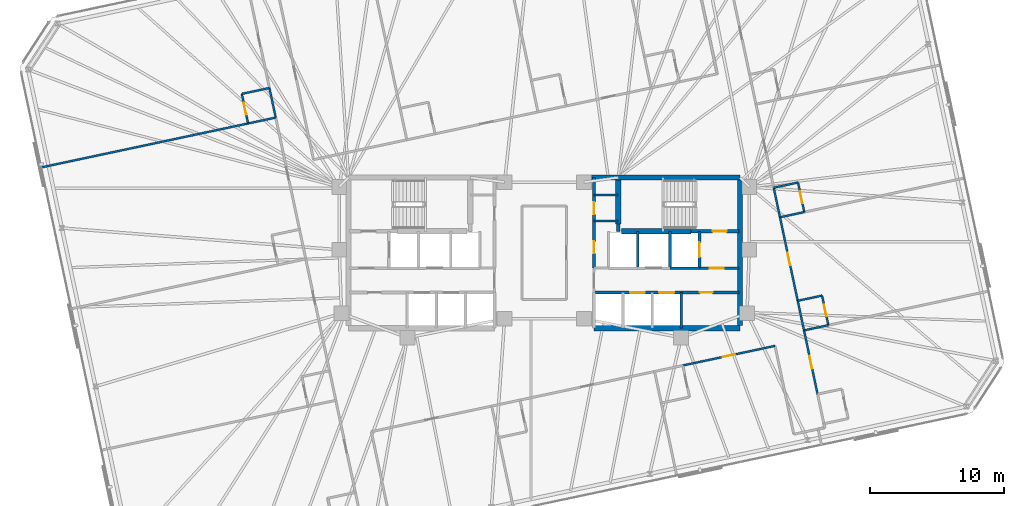
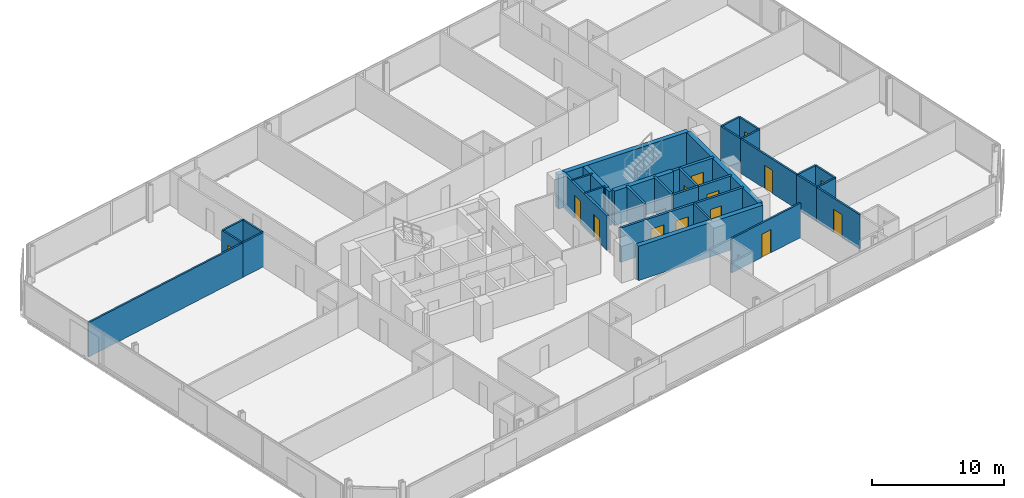
# One storey, part 16 of 19: 33 walls, 14 doors, 14 openings.
"""IFC4 building model written with IfcOpenShell, lengths in metres."""

from ifc_helpers import new_model, si_unit, direction, frame, frame_2d, origin, place, context, subcontext, project, spatial, rectangle, extrude, material, layer, layer_set, type_object, element, fill, save


model = new_model("IFC4")

# Units and contexts
model_context = context("Model", 3, precision=1e-05, world=origin(), true_north=direction((0.0, 1.0)))
body_context = subcontext(model_context, "Body", "Model", "MODEL_VIEW")
ifc_project = project(units=[si_unit("LENGTHUNIT", "METRE"), si_unit("AREAUNIT", "SQUARE_METRE"), si_unit("VOLUMEUNIT", "CUBIC_METRE"), si_unit("PLANEANGLEUNIT", "RADIAN"), si_unit("MASSUNIT", "GRAM", prefix="KILO")], contexts=[model_context])

# Site, building, storey
site_placement = place(None, origin())
site = spatial("IfcSite", under=ifc_project, at=site_placement, CompositionType="ELEMENT")
building_placement = place(site_placement, origin())
building = spatial("IfcBuilding", under=site, at=building_placement, Name="Menara Jurai Vektor", CompositionType="ELEMENT")
storey_placement = place(building_placement, frame((0.0, 0.0, 154.800048828125)))
storey = spatial("IfcBuildingStorey", under=building, at=storey_placement, Name="L39", CompositionType="ELEMENT", Elevation=154.800048828125)

# Wall, opening, door
ifc_material_1 = material(Name="Concrete C40/50", Category="concrete")
ifc_layer_1 = layer(ifc_material_1, 0.25)
ifc_layer_set_1 = layer_set([ifc_layer_1], Name="Concrete C40/50")
wall_type_1 = type_object("IfcWallType", Name="INT-WALL-CORE-250", PredefinedType="STANDARD", material=ifc_layer_set_1)
wall_1_placement = place(storey_placement, frame((10.89990234375, 1.60009765625, 0.0), z_axis=(0.0, 0.0, 1.0), x_axis=(1.0, 0.0, 0.0)))
wall_1 = element("IfcWall", 1, at=wall_1_placement, inside=storey, type_object=wall_type_1, Name="Interior Wall IW-250 L39", PredefinedType="STANDARD", context=body_context, shape_type="SweptSolid", body=[
    extrude(rectangle(XDim=3.60009765625, YDim=0.25, at=frame_2d((1.800048828125, 0.0))), origin(), (0.0, 0.0, 1.0), 3.175048828125),
])
opening_1_placement = place(wall_1_placement, frame((1.6201171875, 0.0, 0.0)))
opening_1 = element("IfcOpeningElement", 2, at=opening_1_placement, cuts=wall_1, Name="Opening D-L39-ST2", PredefinedType="OPENING", context=body_context, shape_type="SweptSolid", body=[
    extrude(rectangle(XDim=1.050048828125, YDim=2.14990234375, at=frame_2d((0.52490234375, 1.074951171875))), frame((0.0, 0.135009765625, 0.0), z_axis=(0.0, -1.0, 0.0), x_axis=(1.0, 0.0, 0.0)), (0.0, 0.0, 1.0), 0.27001953125),
])
ifc_material_2 = material(Name="Fire-Rated Steel Door", Category="steel")
door_type_1 = type_object("IfcDoorType", Name="DR-STAIR-1050", OperationType="NOTDEFINED", PredefinedType="DOOR", material=ifc_material_2)
door_1_placement = place(opening_1_placement, origin())
door_1 = element("IfcDoor", 3, at=door_1_placement, inside=storey, type_object=door_type_1, Name="Exit Stair ST2 Door L39", OperationType="SINGLE_SWING_LEFT", OverallHeight=2.14990234375, OverallWidth=1.050048828125, PredefinedType="DOOR", context=body_context, shape_type="SweptSolid", body=[
    extrude(rectangle(XDim=1.050048828125, YDim=2.14990234375, at=frame_2d((0.52490234375, 1.074951171875))), frame((0.0, 0.02490234375, 0.0), z_axis=(0.0, -1.0, 0.0), x_axis=(1.0, 0.0, 0.0)), (0.0, 0.0, 1.0), 0.050048828125),
])
fill(opening_1, door_1)

# Wall
wall_2_placement = place(storey_placement, frame((5.5, 1.60009765625, 0.0), z_axis=(0.0, 0.0, 1.0), x_axis=(0.0, 1.0, 0.0)))
element("IfcWall", 4, at=wall_2_placement, inside=storey, type_object=wall_type_1, Name="Interior Wall IW-250 L39", PredefinedType="STANDARD", context=body_context, shape_type="SweptSolid", body=[
    extrude(rectangle(XDim=0.5498046875, YDim=0.25, at=frame_2d((0.27490234375, 0.0))), origin(), (0.0, 0.0, 1.0), 3.175048828125),
])

# Wall, opening, door
wall_3_placement = place(storey_placement, frame((11.550048828125, -1.14990234375, 0.0), z_axis=(0.0, 0.0, 1.0), x_axis=(0.0, 1.0, 0.0)))
wall_3 = element("IfcWall", 5, at=wall_3_placement, inside=storey, type_object=wall_type_1, Name="Interior Wall IW-250 L39", PredefinedType="STANDARD", context=body_context, shape_type="SweptSolid", body=[
    extrude(rectangle(XDim=2.75, YDim=0.199951171875, at=frame_2d((1.375, 0.0))), origin(), (0.0, 0.0, 1.0), 3.175048828125),
])
opening_2_placement = place(wall_3_placement, frame((0.824951171875, 0.0, 0.0)))
opening_2 = element("IfcOpeningElement", 6, at=opening_2_placement, cuts=wall_3, Name="Opening LD-L39-FL2", PredefinedType="OPENING", context=body_context, shape_type="SweptSolid", body=[
    extrude(rectangle(XDim=1.10009765625, YDim=2.14990234375, at=frame_2d((0.550048828125, 1.074951171875))), frame((0.0, 0.10986328125, 0.0), z_axis=(0.0, -1.0, 0.0), x_axis=(1.0, 0.0, 0.0)), (0.0, 0.0, 1.0), 0.219970703125),
])
ifc_material_3 = material(Name="Stainless Steel Sliding Lift Landing Door", Category="steel")
door_type_2 = type_object("IfcDoorType", Name="DR-LIFT-FIRE-1100", OperationType="NOTDEFINED", PredefinedType="DOOR", material=ifc_material_3)
door_2_placement = place(opening_2_placement, origin())
door_2 = element("IfcDoor", 7, at=door_2_placement, inside=storey, type_object=door_type_2, Name="Lift Landing Door FL2 L39", OperationType="SLIDING_TO_RIGHT", OverallHeight=2.14990234375, OverallWidth=1.10009765625, PredefinedType="DOOR", context=body_context, shape_type="SweptSolid", body=[
    extrude(rectangle(XDim=1.10009765625, YDim=2.14990234375, at=frame_2d((0.550048828125, 1.074951171875))), frame((0.0, 0.02490234375, 0.0), z_axis=(0.0, -1.0, 0.0), x_axis=(1.0, 0.0, 0.0)), (0.0, 0.0, 1.0), 0.050048828125),
])
fill(opening_2, door_2)

# Wall
wall_4_placement = place(storey_placement, frame((9.35009765625, -1.14990234375, 0.0), z_axis=(0.0, 0.0, 1.0), x_axis=(0.0, 1.0, 0.0)))
element("IfcWall", 8, at=wall_4_placement, inside=storey, type_object=wall_type_1, Name="Interior Wall IW-250 L39", PredefinedType="STANDARD", context=body_context, shape_type="SweptSolid", body=[
    extrude(rectangle(XDim=2.75, YDim=0.199951171875, at=frame_2d((1.375, 0.0))), origin(), (0.0, 0.0, 1.0), 3.175048828125),
])

# Wall, opening, door
wall_5_placement = place(storey_placement, frame((11.550048828125, -1.14990234375, 0.0), z_axis=(0.0, 0.0, 1.0), x_axis=(1.0, 0.0, 0.0)))
wall_5 = element("IfcWall", 9, at=wall_5_placement, inside=storey, type_object=wall_type_1, Name="Interior Wall IW-250 L39", PredefinedType="STANDARD", context=body_context, shape_type="SweptSolid", body=[
    extrude(rectangle(XDim=2.949951171875, YDim=0.199951171875, at=frame_2d((1.47509765625, 0.0))), origin(), (0.0, 0.0, 1.0), 3.175048828125),
])
opening_3_placement = place(wall_5_placement, frame((0.75, 0.0, 0.0)))
opening_3 = element("IfcOpeningElement", 10, at=opening_3_placement, cuts=wall_5, Name="Opening D-L39-FFE", PredefinedType="OPENING", context=body_context, shape_type="SweptSolid", body=[
    extrude(rectangle(XDim=1.050048828125, YDim=2.179931640625, at=frame_2d((0.52490234375, 1.08984375))), frame((0.0, 0.10986328125, 0.0), z_axis=(0.0, -1.0, 0.0), x_axis=(1.0, 0.0, 0.0)), (0.0, 0.0, 1.0), 0.219970703125),
])
ifc_material_4 = material(Name="Fire-Rated Timber Door", Category="wood")
door_type_3 = type_object("IfcDoorType", Name="DR-LOBBY-1050", OperationType="NOTDEFINED", PredefinedType="DOOR", material=ifc_material_4)
door_3_placement = place(opening_3_placement, origin())
door_3 = element("IfcDoor", 11, at=door_3_placement, inside=storey, type_object=door_type_3, Name="Fire Lift Lobby Door E L39", OperationType="SINGLE_SWING_LEFT", OverallHeight=2.179931640625, OverallWidth=1.050048828125, PredefinedType="DOOR", context=body_context, shape_type="SweptSolid", body=[
    extrude(rectangle(XDim=1.050048828125, YDim=2.179931640625, at=frame_2d((0.52490234375, 1.08984375))), frame((0.0, 0.02490234375, 0.0), z_axis=(0.0, -1.0, 0.0), x_axis=(1.0, 0.0, 0.0)), (0.0, 0.0, 1.0), 0.050048828125),
])
fill(opening_3, door_3)

# Walls
wall_6_placement = place(storey_placement, frame((9.35009765625, -1.14990234375, 0.0), z_axis=(0.0, 0.0, 1.0), x_axis=(1.0, 0.0, 0.0)))
element("IfcWall", 12, at=wall_6_placement, inside=storey, type_object=wall_type_1, Name="Interior Wall IW-250 L39", PredefinedType="STANDARD", context=body_context, shape_type="SweptSolid", body=[
    extrude(rectangle(XDim=2.199951171875, YDim=0.199951171875, at=frame_2d((1.10009765625, 0.0))), origin(), (0.0, 0.0, 1.0), 3.175048828125),
])
ifc_material_5 = material(Name="Gypsum Fireboard Partition", Category="gypsum")
ifc_layer_2 = layer(ifc_material_5, 0.14990234375)
ifc_layer_set_2 = layer_set([ifc_layer_2], Name="Gypsum Fireboard Partition")
wall_type_2 = type_object("IfcWallType", Name="INT-WALL-CORR-150", PredefinedType="PARTITIONING", material=ifc_layer_set_2)
for number, where, z_axis, x_axis, name in (
    (13, (3.699951171875, 4.300048828125, 0.0), (0.0, 0.0, 1.0), (1.0, 0.0, 0.0), "Interior Wall IW-150 L39"),
    (14, (3.699951171875, 2.35009765625, 0.0), (0.0, 0.0, 1.0), (1.0, 0.0, 0.0), "Interior Wall IW-150 L39"),
):
    element("IfcWall", number, at=place(storey_placement, frame(where, z_axis=z_axis, x_axis=x_axis)), inside=storey, type_object=wall_type_2, Name=name, PredefinedType="PARTITIONING", context=body_context, shape_type="SweptSolid", body=[
        extrude(rectangle(XDim=1.800048828125, YDim=0.14990234375, at=frame_2d((0.89990234375, 0.0))), origin(), (0.0, 0.0, 1.0), 3.175048828125),
    ])

# Wall, opening, door
wall_7_placement = place(storey_placement, frame((10.30859375, -8.382080078125, 0.0), z_axis=(0.0, 0.0, 1.0), x_axis=(0.978149817889, 0.207901259648, 0.0)))
wall_7 = element("IfcWall", 15, at=wall_7_placement, inside=storey, type_object=wall_type_2, Name="Interior Wall IW-150 L39", PredefinedType="PARTITIONING", context=body_context, shape_type="SweptSolid", body=[
    extrude(rectangle(XDim=7.007080078125, YDim=0.14990234375, at=frame_2d((3.50341796875, 0.0))), origin(), (0.0, 0.0, 1.0), 3.175048828125),
])
opening_4_placement = place(wall_7_placement, frame((3.04345703125, 0.0, 0.0)))
opening_4 = element("IfcOpeningElement", 16, at=opening_4_placement, cuts=wall_7, Name="Opening D39-17", PredefinedType="OPENING", context=body_context, shape_type="SweptSolid", body=[
    extrude(rectangle(XDim=0.919921875, YDim=2.14990234375, at=frame_2d((0.4599609375, 1.074951171875))), frame((0.0, 0.0849609375, 0.0), z_axis=(0.0, -1.0, 0.0), x_axis=(1.0, 0.0, 0.0)), (0.0, 0.0, 1.0), 0.169921875),
])
ifc_material_6 = material(Name="Solid Core Timber Fire Door", Category="wood")
door_type_4 = type_object("IfcDoorType", Name="DR-ENTRY-950", OperationType="NOTDEFINED", PredefinedType="DOOR", material=ifc_material_6)
door_4_placement = place(opening_4_placement, origin())
door_4 = element("IfcDoor", 17, at=door_4_placement, inside=storey, type_object=door_type_4, Name="Interior Door D39-17", OperationType="SINGLE_SWING_RIGHT", OverallHeight=2.14990234375, OverallWidth=0.919921875, PredefinedType="DOOR", context=body_context, shape_type="SweptSolid", body=[
    extrude(rectangle(XDim=0.919921875, YDim=2.14990234375, at=frame_2d((0.4599609375, 1.074951171875))), frame((0.0, 0.02490234375, 0.0), z_axis=(0.0, -1.0, 0.0), x_axis=(1.0, 0.0, 0.0)), (0.0, 0.0, 1.0), 0.050048828125),
])
fill(opening_4, door_4)

# Wall
wall_8_placement = place(storey_placement, frame((-19.974365234375, 10.0546875, 0.0), z_axis=(0.0, 0.0, 1.0), x_axis=(-0.207913264065, 0.978147266328, 0.0)))
element("IfcWall", 18, at=wall_8_placement, inside=storey, type_object=wall_type_2, Name="Interior Wall IW-150 L39", PredefinedType="PARTITIONING", context=body_context, shape_type="SweptSolid", body=[
    extrude(rectangle(XDim=2.249755859375, YDim=0.14990234375, at=frame_2d((1.125, 0.0))), origin(), (0.0, 0.0, 1.0), 3.175048828125),
])

# Wall, opening, door
wall_9_placement = place(storey_placement, frame((20.328125, -10.515380859375, 0.0), z_axis=(0.0, 0.0, 1.0), x_axis=(-0.207950868925, 0.97813927235, 0.0)))
wall_9 = element("IfcWall", 19, at=wall_9_placement, inside=storey, type_object=wall_type_2, Name="Interior Wall IW-150 L39", PredefinedType="PARTITIONING", context=body_context, shape_type="SweptSolid", body=[
    extrude(rectangle(XDim=4.849853515625, YDim=0.14990234375, at=frame_2d((2.4248046875, 0.0))), origin(), (0.0, 0.0, 1.0), 3.175048828125),
])
opening_5_placement = place(wall_9_placement, frame((1.949951171875, 0.0, 0.0)))
opening_5 = element("IfcOpeningElement", 20, at=opening_5_placement, cuts=wall_9, Name="Opening D39-27", PredefinedType="OPENING", context=body_context, shape_type="SweptSolid", body=[
    extrude(rectangle(XDim=0.949951171875, YDim=2.14990234375, at=frame_2d((0.47509765625, 1.074951171875))), frame((0.0, 0.0849609375, 0.0), z_axis=(0.0, -1.0, 0.0), x_axis=(1.0, 0.0, 0.0)), (0.0, 0.0, 1.0), 0.169921875),
])
door_5_placement = place(opening_5_placement, origin())
door_5 = element("IfcDoor", 21, at=door_5_placement, inside=storey, type_object=door_type_4, Name="Interior Door D39-27", OperationType="SINGLE_SWING_RIGHT", OverallHeight=2.14990234375, OverallWidth=0.949951171875, PredefinedType="DOOR", context=body_context, shape_type="SweptSolid", body=[
    extrude(rectangle(XDim=0.949951171875, YDim=2.14990234375, at=frame_2d((0.47509765625, 1.074951171875))), frame((0.0, 0.02490234375, 0.0), z_axis=(0.0, -1.0, 0.0), x_axis=(1.0, 0.0, 0.0)), (0.0, 0.0, 1.0), 0.050048828125),
])
fill(opening_5, door_5)

wall_10_placement = place(storey_placement, frame((18.851806640625, -3.57080078125, 0.0), z_axis=(0.0, 0.0, 1.0), x_axis=(-0.207879907349, 0.978154355979, 0.0)))
wall_10 = element("IfcWall", 22, at=wall_10_placement, inside=storey, type_object=wall_type_2, Name="Interior Wall IW-150 L39", PredefinedType="PARTITIONING", context=body_context, shape_type="SweptSolid", body=[
    extrude(rectangle(XDim=6.35009765625, YDim=0.14990234375, at=frame_2d((3.175048828125, 0.0))), origin(), (0.0, 0.0, 1.0), 3.175048828125),
])
opening_6_placement = place(wall_10_placement, frame((2.699951171875, 0.0, 0.0)))
opening_6 = element("IfcOpeningElement", 23, at=opening_6_placement, cuts=wall_10, Name="Opening D39-29", PredefinedType="OPENING", context=body_context, shape_type="SweptSolid", body=[
    extrude(rectangle(XDim=0.949951171875, YDim=2.14990234375, at=frame_2d((0.47509765625, 1.074951171875))), frame((0.0, 0.0849609375, 0.0), z_axis=(0.0, -1.0, 0.0), x_axis=(1.0, 0.0, 0.0)), (0.0, 0.0, 1.0), 0.169921875),
])
door_6_placement = place(opening_6_placement, origin())
door_6 = element("IfcDoor", 24, at=door_6_placement, inside=storey, type_object=door_type_4, Name="Interior Door D39-29", OperationType="SINGLE_SWING_RIGHT", OverallHeight=2.14990234375, OverallWidth=0.949951171875, PredefinedType="DOOR", context=body_context, shape_type="SweptSolid", body=[
    extrude(rectangle(XDim=0.949951171875, YDim=2.14990234375, at=frame_2d((0.47509765625, 1.074951171875))), frame((0.0, 0.02490234375, 0.0), z_axis=(0.0, -1.0, 0.0), x_axis=(1.0, 0.0, 0.0)), (0.0, 0.0, 1.0), 0.050048828125),
])
fill(opening_6, door_6)

# Walls
for number, where, z_axis, x_axis, name in (
    (25, (19.319580078125, -5.771484375, 0.0), (0.0, 0.0, 1.0), (-0.207913264065, 0.978147266328, 0.0), "Interior Wall IW-150 L39"),
    (26, (17.53173828125, 2.640625, 0.0), (0.0, 0.0, 1.0), (-0.207913264065, 0.978147266328, 0.0), "Interior Wall IW-150 L39"),
):
    element("IfcWall", number, at=place(storey_placement, frame(where, z_axis=z_axis, x_axis=x_axis)), inside=storey, type_object=wall_type_2, Name=name, PredefinedType="PARTITIONING", context=body_context, shape_type="SweptSolid", body=[
        extrude(rectangle(XDim=2.249755859375, YDim=0.14990234375, at=frame_2d((1.125, 0.0))), origin(), (0.0, 0.0, 1.0), 3.175048828125),
    ])
wall_11_placement = place(storey_placement, frame((-37.403076171875, 6.35009765625, 0.0), z_axis=(0.0, 0.0, 1.0), x_axis=(0.978149296727, 0.207903711638, 0.0)))
element("IfcWall", 27, at=wall_11_placement, inside=storey, type_object=wall_type_2, Name="Interior Wall IW-150 L39", PredefinedType="PARTITIONING", context=body_context, shape_type="SweptSolid", body=[
    extrude(rectangle(XDim=15.718017578125, YDim=0.14990234375, at=frame_2d((7.85888671875, 0.0))), origin(), (0.0, 0.0, 1.0), 3.175048828125),
])
wall_12_placement = place(storey_placement, frame((-22.028564453125, 9.617919921875, 0.0), z_axis=(0.0, 0.0, 1.0), x_axis=(0.978134617382, 0.207972763311, 0.0)))
element("IfcWall", 28, at=wall_12_placement, inside=storey, type_object=wall_type_2, Name="Interior Wall IW-150 L39", PredefinedType="PARTITIONING", context=body_context, shape_type="SweptSolid", body=[
    extrude(rectangle(XDim=2.10009765625, YDim=0.14990234375, at=frame_2d((1.050048828125, 0.0))), origin(), (0.0, 0.0, 1.0), 3.175048828125),
])

# Wall, opening, door
wall_13_placement = place(storey_placement, frame((-22.028564453125, 9.617919921875, 0.0), z_axis=(0.0, 0.0, 1.0), x_axis=(-0.207891197838, 0.978151956427, 0.0)))
wall_13 = element("IfcWall", 29, at=wall_13_placement, inside=storey, type_object=wall_type_2, Name="Interior Wall IW-150 L39", PredefinedType="PARTITIONING", context=body_context, shape_type="SweptSolid", body=[
    extrude(rectangle(XDim=2.25, YDim=0.14990234375, at=frame_2d((1.125, 0.0))), origin(), (0.0, 0.0, 1.0), 3.175048828125),
])
opening_7_placement = place(wall_13_placement, frame((0.68505859375, 0.0, 0.0)))
opening_7 = element("IfcOpeningElement", 30, at=opening_7_placement, cuts=wall_13, Name="Opening D39-26", PredefinedType="OPENING", context=body_context, shape_type="SweptSolid", body=[
    extrude(rectangle(XDim=0.8798828125, YDim=2.14990234375, at=frame_2d((0.43994140625, 1.074951171875))), frame((0.0, 0.0849609375, 0.0), z_axis=(0.0, -1.0, 0.0), x_axis=(1.0, 0.0, 0.0)), (0.0, 0.0, 1.0), 0.169921875),
])
ifc_material_7 = material(Name="Moisture-Resistant Timber Door", Category="wood")
door_type_5 = type_object("IfcDoorType", Name="DR-BATH-880", OperationType="NOTDEFINED", PredefinedType="DOOR", material=ifc_material_7)
door_7_placement = place(opening_7_placement, origin())
door_7 = element("IfcDoor", 31, at=door_7_placement, inside=storey, type_object=door_type_5, Name="Interior Door D39-26", OperationType="SINGLE_SWING_LEFT", OverallHeight=2.14990234375, OverallWidth=0.8798828125, PredefinedType="DOOR", context=body_context, shape_type="SweptSolid", body=[
    extrude(rectangle(XDim=0.8798828125, YDim=2.14990234375, at=frame_2d((0.43994140625, 1.074951171875))), frame((0.0, 0.02490234375, 0.0), z_axis=(0.0, -1.0, 0.0), x_axis=(1.0, 0.0, 0.0)), (0.0, 0.0, 1.0), 0.050048828125),
])
fill(opening_7, door_7)

# Walls
wall_14_placement = place(storey_placement, frame((-22.496337890625, 11.81884765625, 0.0), z_axis=(0.0, 0.0, 1.0), x_axis=(0.97815826, 0.207861536591, 0.0)))
element("IfcWall", 32, at=wall_14_placement, inside=storey, type_object=wall_type_2, Name="Interior Wall IW-150 L39", PredefinedType="PARTITIONING", context=body_context, shape_type="SweptSolid", body=[
    extrude(rectangle(XDim=2.10009765625, YDim=0.14990234375, at=frame_2d((1.050048828125, 0.0))), origin(), (0.0, 0.0, 1.0), 3.175048828125),
])
wall_15_placement = place(storey_placement, frame((19.319580078125, -5.771484375, 0.0), z_axis=(0.0, 0.0, 1.0), x_axis=(0.978165892835, 0.207825614625, 0.0)))
element("IfcWall", 33, at=wall_15_placement, inside=storey, type_object=wall_type_2, Name="Interior Wall IW-150 L39", PredefinedType="PARTITIONING", context=body_context, shape_type="SweptSolid", body=[
    extrude(rectangle(XDim=1.85009765625, YDim=0.14990234375, at=frame_2d((0.925048828125, 0.0))), origin(), (0.0, 0.0, 1.0), 3.175048828125),
])
wall_16_placement = place(storey_placement, frame((18.851806640625, -3.57080078125, 0.0), z_axis=(0.0, 0.0, 1.0), x_axis=(0.978139061018, 0.207951862966, 0.0)))
element("IfcWall", 34, at=wall_16_placement, inside=storey, type_object=wall_type_2, Name="Interior Wall IW-150 L39", PredefinedType="PARTITIONING", context=body_context, shape_type="SweptSolid", body=[
    extrude(rectangle(XDim=1.850341796875, YDim=0.14990234375, at=frame_2d((0.92529296875, 0.0))), origin(), (0.0, 0.0, 1.0), 3.175048828125),
])

# Wall, opening, door
wall_17_placement = place(storey_placement, frame((21.12939453125, -5.386962890625, 0.0), z_axis=(0.0, 0.0, 1.0), x_axis=(-0.207891197838, 0.978151956427, 0.0)))
wall_17 = element("IfcWall", 35, at=wall_17_placement, inside=storey, type_object=wall_type_2, Name="Interior Wall IW-150 L39", PredefinedType="PARTITIONING", context=body_context, shape_type="SweptSolid", body=[
    extrude(rectangle(XDim=2.25, YDim=0.14990234375, at=frame_2d((1.125, 0.0))), origin(), (0.0, 0.0, 1.0), 3.175048828125),
])
opening_8_placement = place(wall_17_placement, frame((0.68505859375, 0.0, 0.0)))
opening_8 = element("IfcOpeningElement", 36, at=opening_8_placement, cuts=wall_17, Name="Opening D39-30", PredefinedType="OPENING", context=body_context, shape_type="SweptSolid", body=[
    extrude(rectangle(XDim=0.8798828125, YDim=2.14990234375, at=frame_2d((0.43994140625, 1.074951171875))), frame((0.0, 0.0849609375, 0.0), z_axis=(0.0, -1.0, 0.0), x_axis=(1.0, 0.0, 0.0)), (0.0, 0.0, 1.0), 0.169921875),
])
door_8_placement = place(opening_8_placement, origin())
door_8 = element("IfcDoor", 37, at=door_8_placement, inside=storey, type_object=door_type_5, Name="Interior Door D39-30", OperationType="SINGLE_SWING_LEFT", OverallHeight=2.14990234375, OverallWidth=0.8798828125, PredefinedType="DOOR", context=body_context, shape_type="SweptSolid", body=[
    extrude(rectangle(XDim=0.8798828125, YDim=2.14990234375, at=frame_2d((0.43994140625, 1.074951171875))), frame((0.0, 0.02490234375, 0.0), z_axis=(0.0, -1.0, 0.0), x_axis=(1.0, 0.0, 0.0)), (0.0, 0.0, 1.0), 0.050048828125),
])
fill(opening_8, door_8)

# Walls
wall_18_placement = place(storey_placement, frame((17.53173828125, 2.640625, 0.0), z_axis=(0.0, 0.0, 1.0), x_axis=(0.978160192495, 0.207852442415, 0.0)))
element("IfcWall", 38, at=wall_18_placement, inside=storey, type_object=wall_type_2, Name="Interior Wall IW-150 L39", PredefinedType="PARTITIONING", context=body_context, shape_type="SweptSolid", body=[
    extrude(rectangle(XDim=1.849853515625, YDim=0.14990234375, at=frame_2d((0.9248046875, 0.0))), origin(), (0.0, 0.0, 1.0), 3.175048828125),
])
wall_19_placement = place(storey_placement, frame((17.06396484375, 4.84130859375, 0.0), z_axis=(0.0, 0.0, 1.0), x_axis=(0.978133353907, 0.20797870558, 0.0)))
element("IfcWall", 39, at=wall_19_placement, inside=storey, type_object=wall_type_2, Name="Interior Wall IW-150 L39", PredefinedType="PARTITIONING", context=body_context, shape_type="SweptSolid", body=[
    extrude(rectangle(XDim=1.85009765625, YDim=0.14990234375, at=frame_2d((0.925048828125, 0.0))), origin(), (0.0, 0.0, 1.0), 3.175048828125),
])

# Wall, opening, door
wall_20_placement = place(storey_placement, frame((19.34130859375, 3.025146484375, 0.0), z_axis=(0.0, 0.0, 1.0), x_axis=(-0.207891197838, 0.978151956427, 0.0)))
wall_20 = element("IfcWall", 40, at=wall_20_placement, inside=storey, type_object=wall_type_2, Name="Interior Wall IW-150 L39", PredefinedType="PARTITIONING", context=body_context, shape_type="SweptSolid", body=[
    extrude(rectangle(XDim=2.25, YDim=0.14990234375, at=frame_2d((1.125, 0.0))), origin(), (0.0, 0.0, 1.0), 3.175048828125),
])
opening_9_placement = place(wall_20_placement, frame((0.68505859375, 0.0, 0.0)))
opening_9 = element("IfcOpeningElement", 41, at=opening_9_placement, cuts=wall_20, Name="Opening D39-32", PredefinedType="OPENING", context=body_context, shape_type="SweptSolid", body=[
    extrude(rectangle(XDim=0.8798828125, YDim=2.14990234375, at=frame_2d((0.43994140625, 1.074951171875))), frame((0.0, 0.0849609375, 0.0), z_axis=(0.0, -1.0, 0.0), x_axis=(1.0, 0.0, 0.0)), (0.0, 0.0, 1.0), 0.169921875),
])
door_9_placement = place(opening_9_placement, origin())
door_9 = element("IfcDoor", 42, at=door_9_placement, inside=storey, type_object=door_type_5, Name="Interior Door D39-32", OperationType="SINGLE_SWING_LEFT", OverallHeight=2.14990234375, OverallWidth=0.8798828125, PredefinedType="DOOR", context=body_context, shape_type="SweptSolid", body=[
    extrude(rectangle(XDim=0.8798828125, YDim=2.14990234375, at=frame_2d((0.43994140625, 1.074951171875))), frame((0.0, 0.02490234375, 0.0), z_axis=(0.0, -1.0, 0.0), x_axis=(1.0, 0.0, 0.0)), (0.0, 0.0, 1.0), 0.050048828125),
])
fill(opening_9, door_9)

# Wall, openings, doors
ifc_layer_3 = layer(ifc_material_1, 0.199951171875)
ifc_layer_set_3 = layer_set([ifc_layer_3], Name="Concrete C40/50")
wall_type_3 = type_object("IfcWallType", Name="INT-WALL-SHAFT-200", PredefinedType="STANDARD", material=ifc_layer_set_3)
wall_21_placement = place(storey_placement, frame((3.699951171875, -1.14990234375, 0.0), z_axis=(0.0, 0.0, 1.0), x_axis=(0.0, 1.0, 0.0)))
wall_21 = element("IfcWall", 43, at=wall_21_placement, inside=storey, type_object=wall_type_3, Name="Interior Wall IW-200 L39", PredefinedType="STANDARD", context=body_context, shape_type="SweptSolid", body=[
    extrude(rectangle(XDim=6.75, YDim=0.199951171875, at=frame_2d((3.375, 0.0))), origin(), (0.0, 0.0, 1.0), 3.175048828125),
])
opening_10_placement = place(wall_21_placement, frame((1.10009765625, 0.0, 0.0)))
opening_10 = element("IfcOpeningElement", 44, at=opening_10_placement, cuts=wall_21, Name="Opening D39-04", PredefinedType="OPENING", context=body_context, shape_type="SweptSolid", body=[
    extrude(rectangle(XDim=0.89990234375, YDim=2.14990234375, at=frame_2d((0.449951171875, 1.074951171875))), frame((0.0, 0.10986328125, 0.0), z_axis=(0.0, -1.0, 0.0), x_axis=(1.0, 0.0, 0.0)), (0.0, 0.0, 1.0), 0.219970703125),
])
opening_11_placement = place(wall_21_placement, frame((4.0, 0.0, 0.0)))
opening_11 = element("IfcOpeningElement", 45, at=opening_11_placement, cuts=wall_21, Name="Opening D39-05", PredefinedType="OPENING", context=body_context, shape_type="SweptSolid", body=[
    extrude(rectangle(XDim=0.919921875, YDim=2.14990234375, at=frame_2d((0.4599609375, 1.074951171875))), frame((0.0, 0.10986328125, 0.0), z_axis=(0.0, -1.0, 0.0), x_axis=(1.0, 0.0, 0.0)), (0.0, 0.0, 1.0), 0.219970703125),
])
door_10_placement = place(opening_10_placement, origin())
door_10 = element("IfcDoor", 46, at=door_10_placement, inside=storey, type_object=door_type_4, Name="Interior Door D39-04", OperationType="SINGLE_SWING_RIGHT", OverallHeight=2.14990234375, OverallWidth=0.89990234375, PredefinedType="DOOR", context=body_context, shape_type="SweptSolid", body=[
    extrude(rectangle(XDim=0.89990234375, YDim=2.14990234375, at=frame_2d((0.449951171875, 1.074951171875))), frame((0.0, 0.02490234375, 0.0), z_axis=(0.0, -1.0, 0.0), x_axis=(1.0, 0.0, 0.0)), (0.0, 0.0, 1.0), 0.050048828125),
])
fill(opening_10, door_10)
door_11_placement = place(opening_11_placement, origin())
door_11 = element("IfcDoor", 47, at=door_11_placement, inside=storey, type_object=door_type_4, Name="Interior Door D39-05", OperationType="SINGLE_SWING_RIGHT", OverallHeight=2.14990234375, OverallWidth=0.919921875, PredefinedType="DOOR", context=body_context, shape_type="SweptSolid", body=[
    extrude(rectangle(XDim=0.919921875, YDim=2.14990234375, at=frame_2d((0.4599609375, 1.074951171875))), frame((0.0, 0.02490234375, 0.0), z_axis=(0.0, -1.0, 0.0), x_axis=(1.0, 0.0, 0.0)), (0.0, 0.0, 1.0), 0.050048828125),
])
fill(opening_11, door_11)

# Wall
wall_22_placement = place(storey_placement, frame((6.949951171875, -1.14990234375, 0.0), z_axis=(0.0, 0.0, 1.0), x_axis=(0.0, 1.0, 0.0)))
element("IfcWall", 48, at=wall_22_placement, inside=storey, type_object=wall_type_3, Name="Interior Wall IW-200 L39", PredefinedType="STANDARD", context=body_context, shape_type="SweptSolid", body=[
    extrude(rectangle(XDim=2.75, YDim=0.199951171875, at=frame_2d((1.375, 0.0))), origin(), (0.0, 0.0, 1.0), 3.175048828125),
])

# Wall, openings, doors
wall_23_placement = place(storey_placement, frame((3.699951171875, -2.949951171875, 0.0), z_axis=(0.0, 0.0, 1.0), x_axis=(1.0, 0.0, 0.0)))
wall_23 = element("IfcWall", 49, at=wall_23_placement, inside=storey, type_object=wall_type_3, Name="Interior Wall IW-200 L39", PredefinedType="STANDARD", context=body_context, shape_type="SweptSolid", body=[
    extrude(rectangle(XDim=10.800048828125, YDim=0.199951171875, at=frame_2d((5.39990234375, 0.0))), origin(), (0.0, 0.0, 1.0), 3.175048828125),
])
opening_12_placement = place(wall_23_placement, frame((2.68994140625, 0.0, 0.0)))
opening_12 = element("IfcOpeningElement", 50, at=opening_12_placement, cuts=wall_23, Name="Opening LD-L39-PM3", PredefinedType="OPENING", context=body_context, shape_type="SweptSolid", body=[
    extrude(rectangle(XDim=1.10009765625, YDim=2.14990234375, at=frame_2d((0.550048828125, 1.074951171875))), frame((0.0, 0.10986328125, 0.0), z_axis=(0.0, -1.0, 0.0), x_axis=(1.0, 0.0, 0.0)), (0.0, 0.0, 1.0), 0.219970703125),
])
opening_13_placement = place(wall_23_placement, frame((4.85009765625, 0.0, 0.0)))
opening_13 = element("IfcOpeningElement", 51, at=opening_13_placement, cuts=wall_23, Name="Opening LD-L39-PM4", PredefinedType="OPENING", context=body_context, shape_type="SweptSolid", body=[
    extrude(rectangle(XDim=1.10009765625, YDim=2.14990234375, at=frame_2d((0.550048828125, 1.074951171875))), frame((0.0, 0.10986328125, 0.0), z_axis=(0.0, -1.0, 0.0), x_axis=(1.0, 0.0, 0.0)), (0.0, 0.0, 1.0), 0.219970703125),
])
opening_14_placement = place(wall_23_placement, frame((7.8798828125, 0.0, 0.0)))
opening_14 = element("IfcOpeningElement", 52, at=opening_14_placement, cuts=wall_23, Name="Opening D39-03", PredefinedType="OPENING", context=body_context, shape_type="SweptSolid", body=[
    extrude(rectangle(XDim=0.949951171875, YDim=2.14990234375, at=frame_2d((0.47509765625, 1.074951171875))), frame((0.0, 0.10986328125, 0.0), z_axis=(0.0, -1.0, 0.0), x_axis=(1.0, 0.0, 0.0)), (0.0, 0.0, 1.0), 0.219970703125),
])
door_12_placement = place(opening_14_placement, origin())
door_12 = element("IfcDoor", 53, at=door_12_placement, inside=storey, type_object=door_type_4, Name="Interior Door D39-03", OperationType="SINGLE_SWING_LEFT", OverallHeight=2.14990234375, OverallWidth=0.949951171875, PredefinedType="DOOR", context=body_context, shape_type="SweptSolid", body=[
    extrude(rectangle(XDim=0.949951171875, YDim=2.14990234375, at=frame_2d((0.47509765625, 1.074951171875))), frame((0.0, 0.02490234375, 0.0), z_axis=(0.0, -1.0, 0.0), x_axis=(1.0, 0.0, 0.0)), (0.0, 0.0, 1.0), 0.050048828125),
])
fill(opening_14, door_12)
ifc_material_8 = material(Name="Anodised Stainless Sliding Lift Landing Door", Category="steel")
door_type_6 = type_object("IfcDoorType", Name="DR-LIFT-PASS-1100", OperationType="NOTDEFINED", PredefinedType="DOOR", material=ifc_material_8)
door_13_placement = place(opening_12_placement, origin())
door_13 = element("IfcDoor", 54, at=door_13_placement, inside=storey, type_object=door_type_6, Name="Lift Landing Door PM3 L39", OperationType="SLIDING_TO_LEFT", OverallHeight=2.14990234375, OverallWidth=1.10009765625, PredefinedType="DOOR", context=body_context, shape_type="SweptSolid", body=[
    extrude(rectangle(XDim=1.10009765625, YDim=2.14990234375, at=frame_2d((0.550048828125, 1.074951171875))), frame((0.0, 0.02490234375, 0.0), z_axis=(0.0, -1.0, 0.0), x_axis=(1.0, 0.0, 0.0)), (0.0, 0.0, 1.0), 0.050048828125),
])
fill(opening_12, door_13)
door_14_placement = place(opening_13_placement, origin())
door_14 = element("IfcDoor", 55, at=door_14_placement, inside=storey, type_object=door_type_6, Name="Lift Landing Door PM4 L39", OperationType="SLIDING_TO_RIGHT", OverallHeight=2.14990234375, OverallWidth=1.10009765625, PredefinedType="DOOR", context=body_context, shape_type="SweptSolid", body=[
    extrude(rectangle(XDim=1.10009765625, YDim=2.14990234375, at=frame_2d((0.550048828125, 1.074951171875))), frame((0.0, 0.02490234375, 0.0), z_axis=(0.0, -1.0, 0.0), x_axis=(1.0, 0.0, 0.0)), (0.0, 0.0, 1.0), 0.050048828125),
])
fill(opening_13, door_14)

# Walls
wall_24_placement = place(storey_placement, frame((10.179931640625, -5.60009765625, 0.0), z_axis=(0.0, 0.0, 1.0), x_axis=(0.0, 1.0, 0.0)))
element("IfcWall", 56, at=wall_24_placement, inside=storey, type_object=wall_type_3, Name="Interior Wall IW-200 L39", PredefinedType="STANDARD", context=body_context, shape_type="SweptSolid", body=[
    extrude(rectangle(XDim=2.650146484375, YDim=0.179931640625, at=frame_2d((1.3251953125, 0.0))), origin(), (0.0, 0.0, 1.0), 3.175048828125),
])
ifc_material_9 = material(Name="Concrete C50/60", Category="concrete")
ifc_layer_4 = layer(ifc_material_9, 0.39990234375)
ifc_layer_set_4 = layer_set([ifc_layer_4], Name="Concrete C50/60")
wall_type_4 = type_object("IfcWallType", Name="STR-WALL-CORE400", PredefinedType="SHEAR", material=ifc_layer_set_4)
wall_25_placement = place(storey_placement, frame((3.14990234375, 5.60009765625, 0.0), z_axis=(0.0, 0.0, 1.0), x_axis=(1.0, 0.0, 0.0)))
element("IfcWall", 57, at=wall_25_placement, inside=storey, type_object=wall_type_4, Name="Core Shear Wall CW-E-N L39", PredefinedType="SHEAR", context=body_context, shape_type="SweptSolid", body=[
    extrude(rectangle(XDim=11.41015625, YDim=0.39990234375, at=frame_2d((5.705078125, 0.0))), origin(), (0.0, 0.0, 1.0), 3.175048828125),
])
wall_26_placement = place(storey_placement, frame((3.699951171875, -5.60009765625, 0.0), z_axis=(0.0, 0.0, 1.0), x_axis=(1.0, 0.0, 0.0)))
element("IfcWall", 58, at=wall_26_placement, inside=storey, type_object=wall_type_4, Name="Core Shear Wall CW-E-S L39", PredefinedType="SHEAR", context=body_context, shape_type="SweptSolid", body=[
    extrude(rectangle(XDim=10.860107421875, YDim=0.39990234375, at=frame_2d((5.43017578125, 0.0))), origin(), (0.0, 0.0, 1.0), 3.175048828125),
])
wall_27_placement = place(storey_placement, frame((14.56005859375, -5.39990234375, 0.0), z_axis=(0.0, 0.0, 1.0), x_axis=(0.0, 1.0, 0.0)))
element("IfcWall", 59, at=wall_27_placement, inside=storey, type_object=wall_type_4, Name="Core Shear Wall CW-E-E L39", PredefinedType="SHEAR", context=body_context, shape_type="SweptSolid", body=[
    extrude(rectangle(XDim=10.7998046875, YDim=0.39990234375, at=frame_2d((5.39990234375, 0.0))), origin(), (0.0, 0.0, 1.0), 3.175048828125),
])
wall_28_placement = place(storey_placement, frame((5.5, 2.14990234375, 0.0), z_axis=(0.0, 0.0, 1.0), x_axis=(0.0, 1.0, 0.0)))
element("IfcWall", 60, at=wall_28_placement, inside=storey, type_object=wall_type_4, Name="Core Shear Wall CW-E-ST L39", PredefinedType="SHEAR", context=body_context, shape_type="SweptSolid", body=[
    extrude(rectangle(XDim=3.25, YDim=0.39990234375, at=frame_2d((1.625, 0.0))), origin(), (0.0, 0.0, 1.0), 3.175048828125),
])
wall_29_placement = place(storey_placement, frame((5.75, 1.60009765625, 0.0), z_axis=(0.0, 0.0, 1.0), x_axis=(1.0, 0.0, 0.0)))
element("IfcWall", 61, at=wall_29_placement, inside=storey, type_object=wall_type_4, Name="Core Shear Wall CW-E-STS L39", PredefinedType="SHEAR", context=body_context, shape_type="SweptSolid", body=[
    extrude(rectangle(XDim=5.14990234375, YDim=0.39990234375, at=frame_2d((2.574951171875, 0.0))), origin(), (0.0, 0.0, 1.0), 3.175048828125),
])

save(model, "model.ifc")
